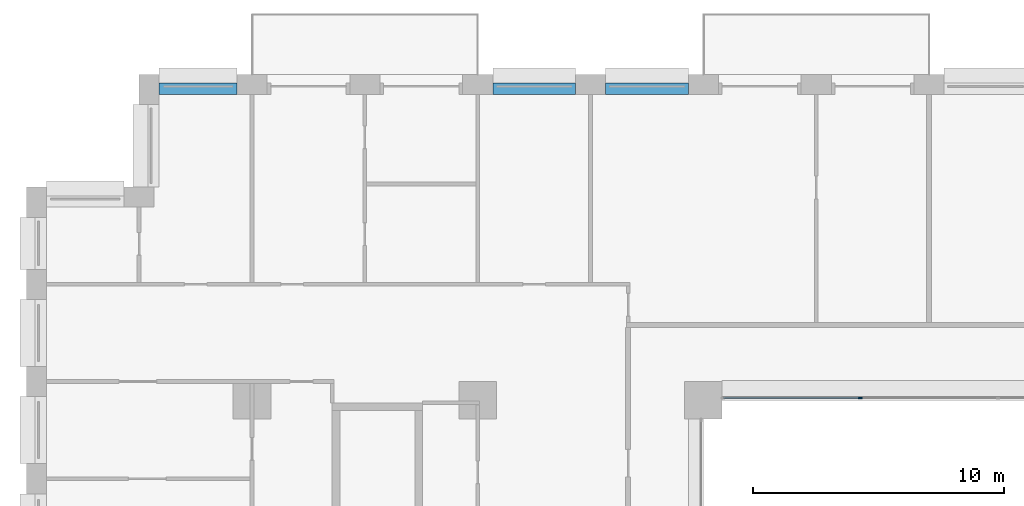
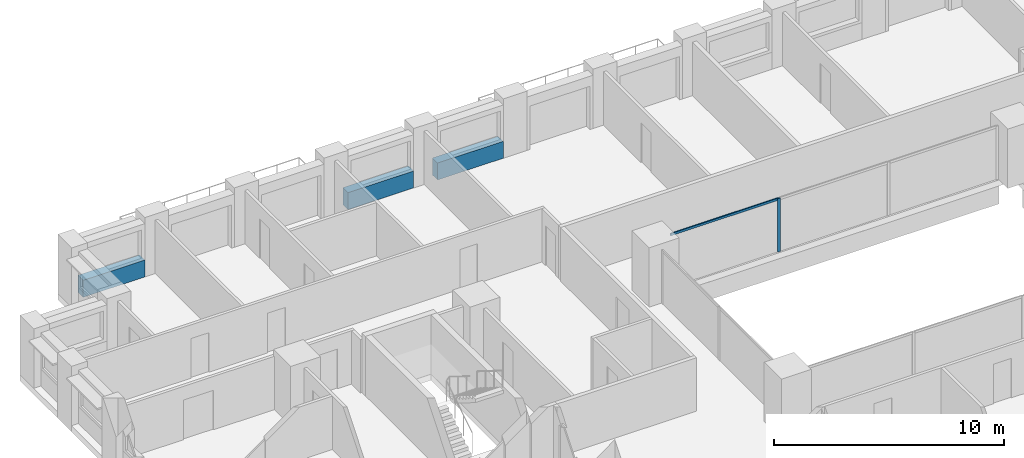
# One storey, part 6 of 19: 3 beams, 2 members, 1 element without a shape of its own.
"""IFC4 building model written with IfcOpenShell, lengths in metres."""

import ifcopenshell
import ifcopenshell.guid

model = None  # the IFC model being written
_history = None  # IfcOwnerHistory: only IFC2X3 demands one
_inside = {}  # id of a spatial element -> (the spatial element, [elements in it])
_under = {}  # id of a project, library or spatial element -> (it, [spatial elements below it])
_declared = {}  # id of a project -> (the project, [libraries it declares])
_typed = {}  # id of a type object -> (the type object, [elements of that type])
_made_of = {}  # id of a material, layer set ... -> (it, [elements and type objects made of it])


def new_model(schema):
    """Start an empty IFC model of exactly this schema.

    Asked for "IFC4X3", IfcOpenShell would pick the latest addendum, in which some entities
    have other attributes; the version numbers below select the first issue.
    IFC2X3 requires an IfcOwnerHistory on every rooted entity: one is made here for all.
    """
    global model, _history
    if schema == "IFC4X3":
        model = ifcopenshell.file(schema_version=(4, 3, 0, 0))
    else:
        model = ifcopenshell.file(schema=schema)
    _inside.clear()
    _under.clear()
    _declared.clear()
    _typed.clear()
    _made_of.clear()
    _history = None
    if model.schema == "IFC2X3":
        org = make("IfcOrganization", Name="unknown")
        user = make(
            "IfcPersonAndOrganization",
            ThePerson=make("IfcPerson", FamilyName="unknown"),
            TheOrganization=org,
        )
        app = make(
            "IfcApplication",
            ApplicationDeveloper=org,
            Version="unknown",
            ApplicationFullName="unknown",
            ApplicationIdentifier="unknown",
        )
        _history = make(
            "IfcOwnerHistory",
            OwningUser=user,
            OwningApplication=app,
            ChangeAction="ADDED",
            CreationDate=0,
        )
    return model


def make(cls, **values):
    """One entity of the class cls with the attributes given. An attribute that is None is left unset."""
    return model.create_entity(
        cls, **{name: value for name, value in values.items() if value is not None}
    )


def rooted(cls, **values):
    """An entity with a GlobalId (a new one), such as an element, a storey or a relation."""
    return make(cls, GlobalId=ifcopenshell.guid.new(), OwnerHistory=_history, **values)


def si_unit(unit_type, name, prefix=None):
    """IfcSIUnit, for example si_unit("LENGTHUNIT", "METRE", prefix="MILLI")."""
    return make("IfcSIUnit", UnitType=unit_type, Prefix=prefix, Name=name)


def assignment(units):
    """IfcUnitAssignment: the units of a project."""
    return None if units is None else make("IfcUnitAssignment", Units=units)


def point(xyz):
    """IfcCartesianPoint."""
    return None if xyz is None else make("IfcCartesianPoint", Coordinates=xyz)


def direction(xyz):
    """IfcDirection."""
    return None if xyz is None else make("IfcDirection", DirectionRatios=xyz)


def frame(location, z_axis=None, x_axis=None):
    """IfcAxis2Placement3D, a coordinate frame: its origin and axes. An axis left out is left unset."""
    return make(
        "IfcAxis2Placement3D",
        Location=point(location),
        Axis=direction(z_axis),
        RefDirection=direction(x_axis),
    )


def frame_2d(location, x_axis=None):
    """IfcAxis2Placement2D, a coordinate frame in the plane: its origin and x axis."""
    return make(
        "IfcAxis2Placement2D", Location=point(location), RefDirection=direction(x_axis)
    )


def origin():
    """The frame at (0, 0, 0) with its axes left unset."""
    return frame((0.0, 0.0, 0.0))


def origin_2d():
    """The frame at (0, 0) in the plane with its x axis left unset."""
    return frame_2d((0.0, 0.0))


def place(relative_to, where):
    """IfcLocalPlacement: puts the frame where relative to a parent placement (None: the world)."""
    return make(
        "IfcLocalPlacement", PlacementRelTo=relative_to, RelativePlacement=where
    )


def context(
    kind, dimensions, precision=None, world=None, true_north=None, identifier=None
):
    """IfcGeometricRepresentationContext, for example the 3D "Model" context."""
    return make(
        "IfcGeometricRepresentationContext",
        ContextIdentifier=identifier,
        ContextType=kind,
        CoordinateSpaceDimension=dimensions,
        Precision=precision,
        WorldCoordinateSystem=world,
        TrueNorth=true_north,
    )


def subcontext(parent, identifier, kind, view, scale=None):
    """IfcGeometricRepresentationSubContext, for example "Body" below "Model"."""
    return make(
        "IfcGeometricRepresentationSubContext",
        ContextIdentifier=identifier,
        ContextType=kind,
        ParentContext=parent,
        TargetScale=scale,
        TargetView=view,
    )


def project(units=None, contexts=None):
    """IfcProject with its units and contexts."""
    return rooted(
        "IfcProject",
        Name="project",
        RepresentationContexts=contexts,
        UnitsInContext=assignment(units),
    )


def spatial(cls, under=None, at=None, **own):
    """A site, building, storey or space (cls), placed at a placement, below another one or the project."""
    s = rooted(cls, ObjectPlacement=at, **own)
    if under is not None:
        _under.setdefault(under.id(), (under, []))[1].append(s)
    return s


def profile(cls, at=None, kind="AREA", **sizes):
    """A parametric profile (cls). Its sizes go by their IFC names, for example OverallWidth=200.0."""
    return make(cls, ProfileType=kind, Position=at, **sizes)


def rectangle(**sizes):
    """IfcRectangleProfileDef."""
    return profile("IfcRectangleProfileDef", **sizes)


def extrude(swept, where, along, depth):
    """IfcExtrudedAreaSolid: the profile swept, set in the frame where, extruded along a direction by depth."""
    return make(
        "IfcExtrudedAreaSolid",
        SweptArea=swept,
        Position=where,
        ExtrudedDirection=direction(along),
        Depth=depth,
    )


def shape(context_of_items, identifier, shape_type, items):
    """IfcShapeRepresentation: the items that make up one representation, for example the "Body"."""
    return make(
        "IfcShapeRepresentation",
        ContextOfItems=context_of_items,
        RepresentationIdentifier=identifier,
        RepresentationType=shape_type,
        Items=items,
    )


def material(Name=None, Category=None):
    """IfcMaterial."""
    return make("IfcMaterial", Name=Name, Category=Category)


def layer(
    of_material, thickness, ventilated=None, Name=None, Category=None, Priority=None
):
    """IfcMaterialLayer: one layer of a wall or slab, of a material (None: an air gap)."""
    return make(
        "IfcMaterialLayer",
        Material=of_material,
        LayerThickness=thickness,
        IsVentilated=ventilated,
        Name=Name,
        Category=Category,
        Priority=Priority,
    )


def layer_set(layers, Name=None):
    """IfcMaterialLayerSet."""
    return make("IfcMaterialLayerSet", MaterialLayers=layers, LayerSetName=Name)


def material_profile(
    of_material, cross_section, Name=None, Category=None, Priority=None
):
    """IfcMaterialProfile: a cross section and its material."""
    return make(
        "IfcMaterialProfile",
        Name=Name,
        Material=of_material,
        Profile=cross_section,
        Priority=Priority,
        Category=Category,
    )


def profile_set(profiles, Name=None, composite=None):
    """IfcMaterialProfileSet."""
    return make(
        "IfcMaterialProfileSet",
        Name=Name,
        MaterialProfiles=profiles,
        CompositeProfile=composite,
    )


def made_of(thing, what):
    """Note that an element or type object is made of a material, layer set ...; save() writes the relation."""
    if what is not None:
        _made_of.setdefault(what.id(), (what, []))[1].append(thing)
    return thing


def type_object(cls, material=None, **own):
    """A type object (cls), such as IfcWallType, which elements share."""
    return made_of(rooted(cls, **own), material)


def element(
    cls,
    number,
    at=None,
    inside=None,
    cuts=None,
    type_object=None,
    material=None,
    context=None,
    identifier="Body",
    shape_type=None,
    held_by="IfcProductDefinitionShape",
    body=None,
    shapes=None,
    **own,
):
    """One element of the class cls, such as IfcWall. Its Tag is "e" and its number.

    at: its placement. inside: the storey or other place that contains it. cuts: it is an
    opening in that element (IfcRelVoidsElement). A single representation is given by context,
    identifier, shape_type and body (its items); several are given by shapes. held_by: the class
    of the entity that holds the representations. save() writes the other relations.
    """
    e = rooted(cls, Tag="e%d" % number, ObjectPlacement=at, **own)
    if body is not None:
        shapes = [shape(context, identifier, shape_type, body)]
    if shapes is not None:
        e.Representation = make(held_by, Representations=shapes)
    if inside is not None:
        _inside.setdefault(inside.id(), (inside, []))[1].append(e)
    if cuts is not None:
        rooted(
            "IfcRelVoidsElement", RelatingBuildingElement=cuts, RelatedOpeningElement=e
        )
    if type_object is not None:
        _typed.setdefault(type_object.id(), (type_object, []))[1].append(e)
    return made_of(e, material)


def aggregate(whole, parts):
    """IfcRelAggregates: a whole, such as a stair, and the parts it consists of."""
    return rooted("IfcRelAggregates", RelatingObject=whole, RelatedObjects=parts)


def save(model, path):
    """Write the relations noted so far, then the file.

    IfcRelAggregates (storeys below a building ...), IfcRelContainedInSpatialStructure (elements
    in a storey), IfcRelDefinesByType, IfcRelAssociatesMaterial and IfcRelDeclares: one each for
    every whole, place, type object, material and project.
    """
    for whole, parts in _under.values():
        aggregate(whole, parts)
    for where, things in _inside.values():
        rooted(
            "IfcRelContainedInSpatialStructure",
            RelatedElements=things,
            RelatingStructure=where,
        )
    for kind, things in _typed.values():
        rooted("IfcRelDefinesByType", RelatedObjects=things, RelatingType=kind)
    for what, things in _made_of.values():
        rooted("IfcRelAssociatesMaterial", RelatedObjects=things, RelatingMaterial=what)
    for by, libraries in _declared.values():
        rooted("IfcRelDeclares", RelatingContext=by, RelatedDefinitions=libraries)
    model.write(path)


model = new_model("IFC4")

# Units and contexts
model_context = context("Model", 3, precision=1e-05, world=origin(), true_north=direction((0.0, 1.0)))
body_context = subcontext(model_context, "Body", "Model", "MODEL_VIEW")
ifc_project = project(units=[si_unit("LENGTHUNIT", "METRE"), si_unit("AREAUNIT", "SQUARE_METRE"), si_unit("VOLUMEUNIT", "CUBIC_METRE"), si_unit("PLANEANGLEUNIT", "RADIAN"), si_unit("MASSUNIT", "GRAM", prefix="KILO")], contexts=[model_context])

# Site, building, storey
site_placement = place(None, origin())
site = spatial("IfcSite", under=ifc_project, at=site_placement, CompositionType="ELEMENT")
building_placement = place(site_placement, origin())
building = spatial("IfcBuilding", under=site, at=building_placement, Name="Brigalow Station Residences", CompositionType="ELEMENT")
storey_placement = place(building_placement, frame((0.0, 0.0, 19.5)))
storey = spatial("IfcBuildingStorey", under=building, at=storey_placement, Name="L04", CompositionType="ELEMENT", Elevation=19.5)

# Curtain wall, members
ifc_material_1 = material(Name="Aluminium", Category="aluminium")
ifc_layer = layer(ifc_material_1, 0.14990234375)
ifc_layer_set = layer_set([ifc_layer], Name="ATRIUM FIRE-RATED GLAZING CURTAIN WALL")
curtain_wall_type = type_object("IfcCurtainWallType", Name="ATRIUM FIRE-RATED GLAZING CURTAIN WALL", PredefinedType="NOTDEFINED", material=ifc_layer_set)
curtain_wall_placement = place(storey_placement, origin())
curtain_wall = element("IfcCurtainWall", 1, at=curtain_wall_placement, inside=storey, type_object=curtain_wall_type, Name="L04/cw/atrium-N", PredefinedType="NOTDEFINED")
ifc_material_2 = material(Name="Aluminium", Category="aluminium")
ifc_material_profile_1 = material_profile(ifc_material_2, rectangle(XDim=0.06005859375, YDim=0.14990234375, at=origin_2d()), Name="ATRIUM FIRE-RATED GLAZING MULLION 60x150")
ifc_profile_set_1 = profile_set([ifc_material_profile_1], Name="Aluminium")
member_type_1 = type_object("IfcMemberType", Name="ATRIUM FIRE-RATED GLAZING MULLION 60x150", PredefinedType="MULLION", material=ifc_profile_set_1)
member_1_placement = place(storey_placement, frame((33.25, 35.60009765625, 0.0), z_axis=(0.0, 0.0, 1.0), x_axis=(0.0, -1.0, 0.0)))
member_1 = element("IfcMember", 2, at=member_1_placement, type_object=member_type_1, Name="L04/cw/atrium-N/M02", PredefinedType="MULLION", context=body_context, shape_type="SweptSolid", body=[
    extrude(rectangle(XDim=0.06005859375, YDim=0.14990234375, at=origin_2d()), origin(), (0.0, 0.0, 1.0), 2.830078125),
])
ifc_material_3 = material(Name="Aluminium", Category="aluminium")
ifc_material_profile_2 = material_profile(ifc_material_3, rectangle(XDim=0.06005859375, YDim=0.1201171875, at=origin_2d()), Name="ATRIUM FIRE-RATED GLAZING TRANSOM 60x120")
ifc_profile_set_2 = profile_set([ifc_material_profile_2], Name="Aluminium")
member_type_2 = type_object("IfcMemberType", Name="ATRIUM FIRE-RATED GLAZING TRANSOM 60x120", PredefinedType="USERDEFINED", material=ifc_profile_set_2)
member_2_placement = place(storey_placement, frame((33.219970703125, 35.60009765625, 2.800048828125), z_axis=(-1.0, 0.0, 0.0), x_axis=(0.0, -1.0, 0.0)))
member_2 = element("IfcMember", 3, at=member_2_placement, type_object=member_type_2, Name="L04/cw/atrium-N/T02-00", ObjectType="TRANSOM", PredefinedType="USERDEFINED", context=body_context, shape_type="SweptSolid", body=[
    extrude(rectangle(XDim=0.06005859375, YDim=0.1201171875, at=origin_2d()), origin(), (0.0, 0.0, 1.0), 5.409912109375),
])
aggregate(curtain_wall, [member_1, member_2])

# Beams
ifc_material_4 = material(Name="Concrete C65", Category="concrete")
ifc_material_profile_3 = material_profile(ifc_material_4, rectangle(XDim=0.449951171875, YDim=0.89990234375, at=origin_2d()), Name="RC450x900")
ifc_profile_set_3 = profile_set([ifc_material_profile_3], Name="Concrete C65")
beam_type = type_object("IfcBeamType", Name="SPANDREL BEAM 450x900 C65", PredefinedType="SPANDREL", material=ifc_profile_set_3)
for number, where, z_axis, x_axis, name in (
    (4, (26.39990234375, 47.925048828125, 0.449951171875), (-1.0, 0.0, 0.0), (0.0, -1.0, 0.0), "L04/spandrel/W-L04-35"),
    (5, (21.89990234375, 47.925048828125, 0.449951171875), (-1.0, 0.0, 0.0), (0.0, -1.0, 0.0), "L04/spandrel/W-L04-36"),
):
    element("IfcBeam", number, at=place(storey_placement, frame(where, z_axis=z_axis, x_axis=x_axis)), inside=storey, type_object=beam_type, Name=name, PredefinedType="SPANDREL", context=body_context, shape_type="SweptSolid", body=[
        extrude(rectangle(XDim=0.449951171875, YDim=0.89990234375, at=origin_2d()), origin(), (0.0, 0.0, 1.0), 3.2998046875),
    ])
beam_placement = place(storey_placement, frame((8.39990234375, 47.925048828125, 0.449951171875), z_axis=(-1.0, 0.0, 0.0), x_axis=(0.0, -1.0, 0.0)))
element("IfcBeam", 6, at=beam_placement, inside=storey, type_object=beam_type, Name="L04/spandrel/W-L04-39", PredefinedType="SPANDREL", context=body_context, shape_type="SweptSolid", body=[
    extrude(rectangle(XDim=0.449951171875, YDim=0.89990234375, at=origin_2d()), origin(), (0.0, 0.0, 1.0), 3.099853515625),
])

save(model, "model.ifc")
